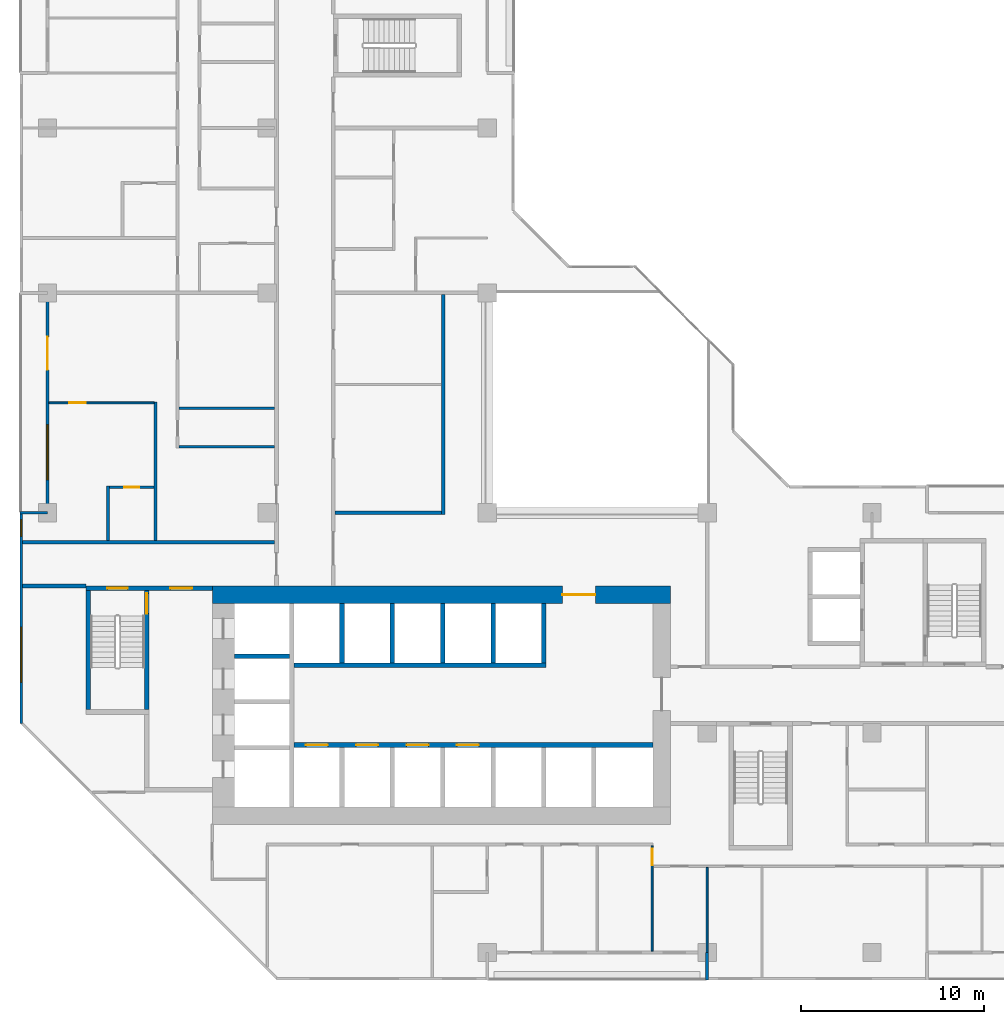
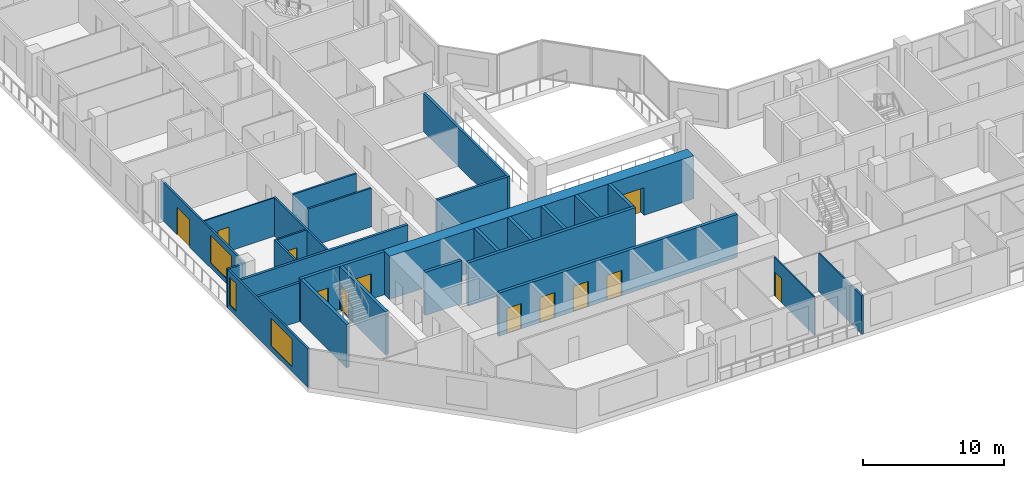
# One storey, part 5 of 15: 28 walls, 12 doors, 3 windows, 15 openings.
"""IFC4 building model written with IfcOpenShell, lengths in metres."""

from ifc_helpers import new_model, si_unit, direction, frame, frame_2d, origin, place, context, subcontext, project, spatial, rectangle, extrude, material, layer, layer_set, type_object, element, fill, save


model = new_model("IFC4")

# Units and contexts
model_context = context("Model", 3, precision=1e-05, world=origin(), true_north=direction((0.0, 1.0)))
body_context = subcontext(model_context, "Body", "Model", "MODEL_VIEW")
ifc_project = project(units=[si_unit("LENGTHUNIT", "METRE"), si_unit("AREAUNIT", "SQUARE_METRE"), si_unit("VOLUMEUNIT", "CUBIC_METRE"), si_unit("PLANEANGLEUNIT", "RADIAN"), si_unit("MASSUNIT", "GRAM", prefix="KILO")], contexts=[model_context])

# Site, building, storey
site_placement = place(None, origin())
site = spatial("IfcSite", under=ifc_project, at=site_placement, CompositionType="ELEMENT")
building_placement = place(site_placement, origin())
building = spatial("IfcBuilding", under=site, at=building_placement, Name="Chenar Terraces", CompositionType="ELEMENT")
storey_placement = place(building_placement, frame((0.0, 0.0, 125.64990234375)))
storey = spatial("IfcBuildingStorey", under=building, at=storey_placement, Name="L29", CompositionType="ELEMENT", Elevation=125.64990234375)

# Wall, openings, doors
ifc_material_1 = material(Name="Concrete C70/85", Category="concrete")
ifc_layer_1 = layer(ifc_material_1, 0.25)
ifc_layer_set_1 = layer_set([ifc_layer_1], Name="Concrete C70/85")
wall_type_1 = type_object("IfcWallType", Name="Core wall 250 Concrete C70/85", PredefinedType="SHEAR", material=ifc_layer_set_1)
wall_1_placement = place(storey_placement, frame((13.449951171875, 11.324951171875, 0.0), z_axis=(0.0, 0.0, 1.0), x_axis=(1.0, 0.0, 0.0)))
wall_1 = element("IfcWall", 1, at=wall_1_placement, inside=storey, type_object=wall_type_1, Name="Core wall SF L29", PredefinedType="SHEAR", context=body_context, shape_type="SweptSolid", body=[
    extrude(rectangle(XDim=19.60009765625, YDim=0.25, at=frame_2d((9.800048828125, 0.0))), origin(), (0.0, 0.0, 1.0), 3.75),
])
opening_1_placement = place(wall_1_placement, frame((0.64990234375, 0.0, 0.0)))
opening_1 = element("IfcOpeningElement", 2, at=opening_1_placement, cuts=wall_1, Name="Opening DL29-LD1", PredefinedType="OPENING", context=body_context, shape_type="SweptSolid", body=[
    extrude(rectangle(XDim=1.199951171875, YDim=2.199951171875, at=frame_2d((0.60009765625, 1.10009765625))), frame((0.0, 0.135009765625, 0.0), z_axis=(0.0, -1.0, 0.0), x_axis=(1.0, 0.0, 0.0)), (0.0, 0.0, 1.0), 0.27001953125),
])
opening_2_placement = place(wall_1_placement, frame((3.39990234375, 0.0, 0.0)))
opening_2 = element("IfcOpeningElement", 3, at=opening_2_placement, cuts=wall_1, Name="Opening DL29-LD2", PredefinedType="OPENING", context=body_context, shape_type="SweptSolid", body=[
    extrude(rectangle(XDim=1.199951171875, YDim=2.199951171875, at=frame_2d((0.60009765625, 1.10009765625))), frame((0.0, 0.135009765625, 0.0), z_axis=(0.0, -1.0, 0.0), x_axis=(1.0, 0.0, 0.0)), (0.0, 0.0, 1.0), 0.27001953125),
])
opening_3_placement = place(wall_1_placement, frame((6.14990234375, 0.0, 0.0)))
opening_3 = element("IfcOpeningElement", 4, at=opening_3_placement, cuts=wall_1, Name="Opening DL29-LD3", PredefinedType="OPENING", context=body_context, shape_type="SweptSolid", body=[
    extrude(rectangle(XDim=1.199951171875, YDim=2.199951171875, at=frame_2d((0.60009765625, 1.10009765625))), frame((0.0, 0.135009765625, 0.0), z_axis=(0.0, -1.0, 0.0), x_axis=(1.0, 0.0, 0.0)), (0.0, 0.0, 1.0), 0.27001953125),
])
opening_4_placement = place(wall_1_placement, frame((8.89990234375, 0.0, 0.0)))
opening_4 = element("IfcOpeningElement", 5, at=opening_4_placement, cuts=wall_1, Name="Opening DL29-LD4", PredefinedType="OPENING", context=body_context, shape_type="SweptSolid", body=[
    extrude(rectangle(XDim=1.199951171875, YDim=2.199951171875, at=frame_2d((0.60009765625, 1.10009765625))), frame((0.0, 0.135009765625, 0.0), z_axis=(0.0, -1.0, 0.0), x_axis=(1.0, 0.0, 0.0)), (0.0, 0.0, 1.0), 0.27001953125),
])
ifc_material_2 = material(Name="Stainless steel", Category="steel")
door_type_1 = type_object("IfcDoorType", Name="Lift landing door 1200 x 2200 sliding", OperationType="DOUBLE_DOOR_SLIDING", PredefinedType="DOOR", material=ifc_material_2)
door_1_placement = place(opening_1_placement, origin())
door_1 = element("IfcDoor", 6, at=door_1_placement, inside=storey, type_object=door_type_1, Name="Landing door L1", OperationType="DOUBLE_DOOR_SLIDING", OverallHeight=2.199951171875, OverallWidth=1.199951171875, PredefinedType="DOOR", context=body_context, shape_type="SweptSolid", body=[
    extrude(rectangle(XDim=1.199951171875, YDim=2.199951171875, at=frame_2d((0.60009765625, 1.10009765625))), frame((0.0, 0.02490234375, 0.0), z_axis=(0.0, -1.0, 0.0), x_axis=(1.0, 0.0, 0.0)), (0.0, 0.0, 1.0), 0.050048828125),
])
fill(opening_1, door_1)
door_2_placement = place(opening_2_placement, origin())
door_2 = element("IfcDoor", 7, at=door_2_placement, inside=storey, type_object=door_type_1, Name="Landing door L2", OperationType="DOUBLE_DOOR_SLIDING", OverallHeight=2.199951171875, OverallWidth=1.199951171875, PredefinedType="DOOR", context=body_context, shape_type="SweptSolid", body=[
    extrude(rectangle(XDim=1.199951171875, YDim=2.199951171875, at=frame_2d((0.60009765625, 1.10009765625))), frame((0.0, 0.02490234375, 0.0), z_axis=(0.0, -1.0, 0.0), x_axis=(1.0, 0.0, 0.0)), (0.0, 0.0, 1.0), 0.050048828125),
])
fill(opening_2, door_2)
door_3_placement = place(opening_3_placement, origin())
door_3 = element("IfcDoor", 8, at=door_3_placement, inside=storey, type_object=door_type_1, Name="Landing door L3", OperationType="DOUBLE_DOOR_SLIDING", OverallHeight=2.199951171875, OverallWidth=1.199951171875, PredefinedType="DOOR", context=body_context, shape_type="SweptSolid", body=[
    extrude(rectangle(XDim=1.199951171875, YDim=2.199951171875, at=frame_2d((0.60009765625, 1.10009765625))), frame((0.0, 0.02490234375, 0.0), z_axis=(0.0, -1.0, 0.0), x_axis=(1.0, 0.0, 0.0)), (0.0, 0.0, 1.0), 0.050048828125),
])
fill(opening_3, door_3)
door_4_placement = place(opening_4_placement, origin())
door_4 = element("IfcDoor", 9, at=door_4_placement, inside=storey, type_object=door_type_1, Name="Landing door L4", OperationType="DOUBLE_DOOR_SLIDING", OverallHeight=2.199951171875, OverallWidth=1.199951171875, PredefinedType="DOOR", context=body_context, shape_type="SweptSolid", body=[
    extrude(rectangle(XDim=1.199951171875, YDim=2.199951171875, at=frame_2d((0.60009765625, 1.10009765625))), frame((0.0, 0.02490234375, 0.0), z_axis=(0.0, -1.0, 0.0), x_axis=(1.0, 0.0, 0.0)), (0.0, 0.0, 1.0), 0.050048828125),
])
fill(opening_4, door_4)

# Walls
wall_2_placement = place(storey_placement, frame((13.449951171875, 15.675048828125, 0.0), z_axis=(0.0, 0.0, 1.0), x_axis=(1.0, 0.0, 0.0)))
element("IfcWall", 10, at=wall_2_placement, inside=storey, type_object=wall_type_1, Name="Core wall NF L29", PredefinedType="SHEAR", context=body_context, shape_type="SweptSolid", body=[
    extrude(rectangle(XDim=13.75, YDim=0.25, at=frame_2d((6.875, 0.0))), origin(), (0.0, 0.0, 1.0), 3.75),
])
wall_3_placement = place(storey_placement, frame((10.199951171875, 16.175048828125, 0.0), z_axis=(0.0, 0.0, 1.0), x_axis=(1.0, 0.0, 0.0)))
element("IfcWall", 11, at=wall_3_placement, inside=storey, type_object=wall_type_1, Name="Core wall HW2 L29", PredefinedType="SHEAR", context=body_context, shape_type="SweptSolid", body=[
    extrude(rectangle(XDim=3.0, YDim=0.25, at=frame_2d((1.5, 0.0))), origin(), (0.0, 0.0, 1.0), 3.75),
])
for number, where, z_axis, x_axis, name in (
    (12, (16.074951171875, 15.800048828125, 0.0), (0.0, 0.0, 1.0), (0.0, 1.0, 0.0), "Core wall NS0 L29"),
    (13, (18.824951171875, 15.800048828125, 0.0), (0.0, 0.0, 1.0), (0.0, 1.0, 0.0), "Core wall NS1 L29"),
    (14, (21.574951171875, 15.800048828125, 0.0), (0.0, 0.0, 1.0), (0.0, 1.0, 0.0), "Core wall NS2 L29"),
    (15, (24.324951171875, 15.800048828125, 0.0), (0.0, 0.0, 1.0), (0.0, 1.0, 0.0), "Core wall NS3 L29"),
    (16, (27.074951171875, 15.800048828125, 0.0), (0.0, 0.0, 1.0), (0.0, 1.0, 0.0), "Core wall NE L29"),
):
    element("IfcWall", number, at=place(storey_placement, frame(where, z_axis=z_axis, x_axis=x_axis)), inside=storey, type_object=wall_type_1, Name=name, PredefinedType="SHEAR", context=body_context, shape_type="SweptSolid", body=[
        extrude(rectangle(XDim=3.25, YDim=0.25, at=frame_2d((1.625, 0.0))), origin(), (0.0, 0.0, 1.0), 3.75),
    ])

# Wall, openings, doors
wall_4_placement = place(storey_placement, frame((2.10009765625, 19.875, 0.0), z_axis=(0.0, 0.0, 1.0), x_axis=(1.0, 0.0, 0.0)))
wall_4 = element("IfcWall", 17, at=wall_4_placement, inside=storey, type_object=wall_type_1, Name="Core wall A_N L29", PredefinedType="SHEAR", context=body_context, shape_type="SweptSolid", body=[
    extrude(rectangle(XDim=6.89990234375, YDim=0.25, at=frame_2d((3.449951171875, 0.0))), origin(), (0.0, 0.0, 1.0), 3.75),
])
opening_5_placement = place(wall_4_placement, frame((1.175048828125, 0.0, 0.0)))
opening_5 = element("IfcOpeningElement", 18, at=opening_5_placement, cuts=wall_4, Name="Opening DL29-C5", PredefinedType="OPENING", context=body_context, shape_type="SweptSolid", body=[
    extrude(rectangle(XDim=1.10009765625, YDim=2.199951171875, at=frame_2d((0.550048828125, 1.10009765625))), frame((0.0, 0.135009765625, 0.0), z_axis=(0.0, -1.0, 0.0), x_axis=(1.0, 0.0, 0.0)), (0.0, 0.0, 1.0), 0.27001953125),
])
opening_6_placement = place(wall_4_placement, frame((4.60009765625, 0.0, 0.0)))
opening_6 = element("IfcOpeningElement", 19, at=opening_6_placement, cuts=wall_4, Name="Opening DL29-C6", PredefinedType="OPENING", context=body_context, shape_type="SweptSolid", body=[
    extrude(rectangle(XDim=1.199951171875, YDim=2.199951171875, at=frame_2d((0.60009765625, 1.10009765625))), frame((0.0, 0.135009765625, 0.0), z_axis=(0.0, -1.0, 0.0), x_axis=(1.0, 0.0, 0.0)), (0.0, 0.0, 1.0), 0.27001953125),
])
ifc_material_3 = material(Name="Steel-framed fire-resisting door leaf", Category="steel")
door_type_2 = type_object("IfcDoorType", Name="Lobby fire door FD60 1200 x 2200", OperationType="SINGLE_SWING_LEFT", PredefinedType="DOOR", material=ifc_material_3)
door_5_placement = place(opening_6_placement, frame((1.199951171875, 0.0, 0.0), z_axis=(0.0, 0.0, 1.0), x_axis=(-1.0, 0.0, 0.0)))
door_5 = element("IfcDoor", 20, at=door_5_placement, inside=storey, type_object=door_type_2, Name="Core door DL29-C6", OperationType="SINGLE_SWING_LEFT", OverallHeight=2.199951171875, OverallWidth=1.199951171875, PredefinedType="DOOR", context=body_context, shape_type="SweptSolid", body=[
    extrude(rectangle(XDim=1.199951171875, YDim=2.199951171875, at=frame_2d((0.60009765625, 1.10009765625))), frame((0.0, 0.02490234375, 0.0), z_axis=(0.0, -1.0, 0.0), x_axis=(1.0, 0.0, 0.0)), (0.0, 0.0, 1.0), 0.050048828125),
])
fill(opening_6, door_5)
ifc_material_4 = material(Name="Steel-framed fire-resisting door leaf", Category="steel")
door_type_3 = type_object("IfcDoorType", Name="Stair fire door FD60 1100 x 2200", OperationType="SINGLE_SWING_LEFT", PredefinedType="DOOR", material=ifc_material_4)
door_6_placement = place(opening_5_placement, origin())
door_6 = element("IfcDoor", 21, at=door_6_placement, inside=storey, type_object=door_type_3, Name="Stair door DL29-C5", OperationType="SINGLE_SWING_LEFT", OverallHeight=2.199951171875, OverallWidth=1.10009765625, PredefinedType="DOOR", context=body_context, shape_type="SweptSolid", body=[
    extrude(rectangle(XDim=1.10009765625, YDim=2.199951171875, at=frame_2d((0.550048828125, 1.10009765625))), frame((0.0, 0.02490234375, 0.0), z_axis=(0.0, -1.0, 0.0), x_axis=(1.0, 0.0, 0.0)), (0.0, 0.0, 1.0), 0.050048828125),
])
fill(opening_5, door_6)

# Wall
wall_5_placement = place(storey_placement, frame((2.22509765625, 13.25, 0.0), z_axis=(0.0, 0.0, 1.0), x_axis=(0.0, 1.0, 0.0)))
element("IfcWall", 22, at=wall_5_placement, inside=storey, type_object=wall_type_1, Name="Core wall ST1_W L29", PredefinedType="SHEAR", context=body_context, shape_type="SweptSolid", body=[
    extrude(rectangle(XDim=6.5, YDim=0.25, at=frame_2d((3.25, 0.0))), origin(), (0.0, 0.0, 1.0), 3.75),
])

# Wall, opening, door
wall_6_placement = place(storey_placement, frame((5.425048828125, 13.25, 0.0), z_axis=(0.0, 0.0, 1.0), x_axis=(0.0, 1.0, 0.0)))
wall_6 = element("IfcWall", 23, at=wall_6_placement, inside=storey, type_object=wall_type_1, Name="Core wall ST1_E L29", PredefinedType="SHEAR", context=body_context, shape_type="SweptSolid", body=[
    extrude(rectangle(XDim=6.5, YDim=0.25, at=frame_2d((3.25, 0.0))), origin(), (0.0, 0.0, 1.0), 3.75),
])
opening_7_placement = place(wall_6_placement, frame((5.25, 0.0, 0.0)))
opening_7 = element("IfcOpeningElement", 24, at=opening_7_placement, cuts=wall_6, Name="Opening DL29-C3", PredefinedType="OPENING", context=body_context, shape_type="SweptSolid", body=[
    extrude(rectangle(XDim=1.10009765625, YDim=2.199951171875, at=frame_2d((0.550048828125, 1.10009765625))), frame((0.0, 0.135009765625, 0.0), z_axis=(0.0, -1.0, 0.0), x_axis=(1.0, 0.0, 0.0)), (0.0, 0.0, 1.0), 0.27001953125),
])
door_7_placement = place(opening_7_placement, origin())
door_7 = element("IfcDoor", 25, at=door_7_placement, inside=storey, type_object=door_type_3, Name="Stair door DL29-C3", OperationType="SINGLE_SWING_RIGHT", OverallHeight=2.199951171875, OverallWidth=1.10009765625, PredefinedType="DOOR", context=body_context, shape_type="SweptSolid", body=[
    extrude(rectangle(XDim=1.10009765625, YDim=2.199951171875, at=frame_2d((0.550048828125, 1.10009765625))), frame((0.0, 0.02490234375, 0.0), z_axis=(0.0, -1.0, 0.0), x_axis=(1.0, 0.0, 0.0)), (0.0, 0.0, 1.0), 0.050048828125),
])
fill(opening_7, door_7)

ifc_material_5 = material(Name="Concrete C70/85", Category="concrete")
ifc_layer_2 = layer(ifc_material_5, 0.949951171875)
ifc_layer_set_2 = layer_set([ifc_layer_2], Name="Concrete C70/85")
wall_type_2 = type_object("IfcWallType", Name="Core wall 950 Concrete C70/85", PredefinedType="SHEAR", material=ifc_layer_set_2)
wall_7_placement = place(storey_placement, frame((9.0, 19.52490234375, 0.0), z_axis=(0.0, 0.0, 1.0), x_axis=(1.0, 0.0, 0.0)))
wall_7 = element("IfcWall", 26, at=wall_7_placement, inside=storey, type_object=wall_type_2, Name="Core wall N L29", PredefinedType="SHEAR", context=body_context, shape_type="SweptSolid", body=[
    extrude(rectangle(XDim=25.0, YDim=0.949951171875, at=frame_2d((12.5, 0.0))), origin(), (0.0, 0.0, 1.0), 3.75),
])
opening_8_placement = place(wall_7_placement, frame((19.10009765625, 0.0, 0.0)))
opening_8 = element("IfcOpeningElement", 27, at=opening_8_placement, cuts=wall_7, Name="Opening DL29-C2", PredefinedType="OPENING", context=body_context, shape_type="SweptSolid", body=[
    extrude(rectangle(XDim=1.800048828125, YDim=2.39990234375, at=frame_2d((0.89990234375, 1.199951171875))), frame((0.0, 0.48486328125, 0.0), z_axis=(0.0, -1.0, 0.0), x_axis=(1.0, 0.0, 0.0)), (0.0, 0.0, 1.0), 0.969970703125),
])
ifc_material_6 = material(Name="Steel-framed fire-resisting door leaf", Category="steel")
door_type_4 = type_object("IfcDoorType", Name="Core entrance double fire door FD60 1800 x 2400", OperationType="DOUBLE_DOOR_SINGLE_SWING", PredefinedType="DOOR", material=ifc_material_6)
door_8_placement = place(opening_8_placement, frame((1.800048828125, 0.0, 0.0), z_axis=(0.0, 0.0, 1.0), x_axis=(-1.0, 0.0, 0.0)))
door_8 = element("IfcDoor", 28, at=door_8_placement, inside=storey, type_object=door_type_4, Name="Core door DL29-C2", OperationType="DOUBLE_DOOR_SINGLE_SWING", OverallHeight=2.39990234375, OverallWidth=1.800048828125, PredefinedType="DOOR", context=body_context, shape_type="SweptSolid", body=[
    extrude(rectangle(XDim=1.800048828125, YDim=2.39990234375, at=frame_2d((0.89990234375, 1.199951171875))), frame((0.0, 0.02490234375, 0.0), z_axis=(0.0, -1.0, 0.0), x_axis=(1.0, 0.0, 0.0)), (0.0, 0.0, 1.0), 0.050048828125),
])
fill(opening_8, door_8)

# Walls
ifc_material_7 = material(Name="Gypsum board on steel studs with fire boards", Category="steel")
ifc_layer_3 = layer(ifc_material_7, 0.199951171875)
ifc_layer_set_3 = layer_set([ifc_layer_3], Name="Gypsum board on steel studs with fire boards")
wall_type_3 = type_object("IfcWallType", Name="Corridor wall 200", PredefinedType="PARTITIONING", material=ifc_layer_set_3)
wall_8_placement = place(storey_placement, frame((-1.35009765625, 20.0, 0.0), z_axis=(0.0, 0.0, 1.0), x_axis=(1.0, 0.0, 0.0)))
element("IfcWall", 29, at=wall_8_placement, inside=storey, type_object=wall_type_3, Name="Partition L29-003", PredefinedType="PARTITIONING", context=body_context, shape_type="SweptSolid", body=[
    extrude(rectangle(XDim=3.4501953125, YDim=0.199951171875, at=frame_2d((1.72509765625, 0.0))), origin(), (0.0, 0.0, 1.0), 3.35009765625),
])
wall_9_placement = place(storey_placement, frame((-1.35009765625, 22.39990234375, 0.0), z_axis=(0.0, 0.0, 1.0), x_axis=(1.0, 0.0, 0.0)))
element("IfcWall", 30, at=wall_9_placement, inside=storey, type_object=wall_type_3, Name="Partition L29-004", PredefinedType="PARTITIONING", context=body_context, shape_type="SweptSolid", body=[
    extrude(rectangle(XDim=13.75, YDim=0.199951171875, at=frame_2d((6.875, 0.0))), origin(), (0.0, 0.0, 1.0), 3.35009765625),
])
wall_10_placement = place(storey_placement, frame((15.699951171875, 24.0, 0.0), z_axis=(0.0, 0.0, 1.0), x_axis=(1.0, 0.0, 0.0)))
element("IfcWall", 31, at=wall_10_placement, inside=storey, type_object=wall_type_3, Name="Partition L29-039", PredefinedType="PARTITIONING", context=body_context, shape_type="SweptSolid", body=[
    extrude(rectangle(XDim=5.800048828125, YDim=0.199951171875, at=frame_2d((2.89990234375, 0.0))), origin(), (0.0, 0.0, 1.0), 3.35009765625),
])
wall_11_placement = place(storey_placement, frame((21.60009765625, 23.89990234375, 0.0), z_axis=(0.0, 0.0, 1.0), x_axis=(0.0, 1.0, 0.0)))
element("IfcWall", 32, at=wall_11_placement, inside=storey, type_object=wall_type_3, Name="Partition L29-057", PredefinedType="PARTITIONING", context=body_context, shape_type="SweptSolid", body=[
    extrude(rectangle(XDim=12.0, YDim=0.199951171875, at=frame_2d((6.0, 0.0))), origin(), (0.0, 0.0, 1.0), 3.35009765625),
])

# Wall, openings, windows
ifc_material_8 = material(Name="Aluminium framed glazing", Category="aluminium")
ifc_layer_4 = layer(ifc_material_8, 0.14990234375)
ifc_layer_set_4 = layer_set([ifc_layer_4], Name="Aluminium framed glazing")
wall_type_4 = type_object("IfcWallType", Name="Glazed flush facade wall 150", PredefinedType="SOLIDWALL", material=ifc_layer_set_4)
wall_12_placement = place(storey_placement, frame((-1.425048828125, 23.925048828125, 0.0), z_axis=(0.0, 0.0, 1.0), x_axis=(0.0, -1.0, 0.0)))
wall_12 = element("IfcWall", 33, at=wall_12_placement, inside=storey, type_object=wall_type_4, Name="Glazed flush facade wall", PredefinedType="SOLIDWALL", context=body_context, shape_type="SweptSolid", body=[
    extrude(rectangle(XDim=11.425048828125, YDim=0.14990234375, at=frame_2d((5.71240234375, 0.0))), origin(), (0.0, 0.0, 1.0), 3.35009765625),
])
opening_9_placement = place(wall_12_placement, frame((0.3125, 0.0, 0.449951171875)))
opening_9 = element("IfcOpeningElement", 34, at=opening_9_placement, cuts=wall_12, Name="Opening W90x240", PredefinedType="OPENING", context=body_context, shape_type="SweptSolid", body=[
    extrude(rectangle(XDim=0.89990234375, YDim=2.39990234375, at=frame_2d((0.449951171875, 1.199951171875))), frame((0.0, 0.0849609375, 0.0), z_axis=(0.0, -1.0, 0.0), x_axis=(1.0, 0.0, 0.0)), (0.0, 0.0, 1.0), 0.169921875),
])
opening_10_placement = place(wall_12_placement, frame((6.175048828125, 0.0, 0.449951171875)))
opening_10 = element("IfcOpeningElement", 35, at=opening_10_placement, cuts=wall_12, Name="Opening W300x240", PredefinedType="OPENING", context=body_context, shape_type="SweptSolid", body=[
    extrude(rectangle(XDim=3.0, YDim=2.39990234375, at=frame_2d((1.5, 1.199951171875))), frame((0.0, 0.0849609375, 0.0), z_axis=(0.0, -1.0, 0.0), x_axis=(1.0, 0.0, 0.0)), (0.0, 0.0, 1.0), 0.169921875),
])
ifc_material_9 = material(Name="Low emissivity double glazing, aluminium frame", Category="aluminium")
window_type_1 = type_object("IfcWindowType", Name="Fixed light 3000 x 2400", PartitioningType="SINGLE_PANEL", PredefinedType="WINDOW", material=ifc_material_9)
window_1_placement = place(opening_10_placement, origin())
window_1 = element("IfcWindow", 36, at=window_1_placement, inside=storey, type_object=window_type_1, Name="Window", OverallHeight=2.39990234375, OverallWidth=3.0, PartitioningType="SINGLE_PANEL", PredefinedType="WINDOW", context=body_context, shape_type="SweptSolid", body=[
    extrude(rectangle(XDim=3.0, YDim=2.39990234375, at=frame_2d((1.5, 1.199951171875))), frame((0.0, 0.030029296875, 0.0), z_axis=(0.0, -1.0, 0.0), x_axis=(1.0, 0.0, 0.0)), (0.0, 0.0, 1.0), 0.06005859375),
])
fill(opening_10, window_1)
ifc_material_10 = material(Name="Low emissivity double glazing, aluminium frame", Category="aluminium")
window_type_2 = type_object("IfcWindowType", Name="Fixed light 900 x 2400", PartitioningType="SINGLE_PANEL", PredefinedType="WINDOW", material=ifc_material_10)
window_2_placement = place(opening_9_placement, origin())
window_2 = element("IfcWindow", 37, at=window_2_placement, inside=storey, type_object=window_type_2, Name="Window", OverallHeight=2.39990234375, OverallWidth=0.89990234375, PartitioningType="SINGLE_PANEL", PredefinedType="WINDOW", context=body_context, shape_type="SweptSolid", body=[
    extrude(rectangle(XDim=0.89990234375, YDim=2.39990234375, at=frame_2d((0.449951171875, 1.199951171875))), frame((0.0, 0.030029296875, 0.0), z_axis=(0.0, -1.0, 0.0), x_axis=(1.0, 0.0, 0.0)), (0.0, 0.0, 1.0), 0.06005859375),
])
fill(opening_9, window_2)

# Wall, openings, window, door
ifc_material_11 = material(Name="Aluminium framed glazing", Category="aluminium")
ifc_layer_5 = layer(ifc_material_11, 0.14990234375)
ifc_layer_set_5 = layer_set([ifc_layer_5], Name="Aluminium framed glazing")
wall_type_5 = type_object("IfcWallType", Name="Glazed loggia back wall 150", PredefinedType="SOLIDWALL", material=ifc_layer_set_5)
wall_13_placement = place(storey_placement, frame((0.0, 35.925048828125, 0.0), z_axis=(0.0, 0.0, 1.0), x_axis=(0.0, -1.0, 0.0)))
wall_13 = element("IfcWall", 38, at=wall_13_placement, inside=storey, type_object=wall_type_5, Name="Glazed loggia back wall", PredefinedType="SOLIDWALL", context=body_context, shape_type="SweptSolid", body=[
    extrude(rectangle(XDim=11.85009765625, YDim=0.14990234375, at=frame_2d((5.925048828125, 0.0))), origin(), (0.0, 0.0, 1.0), 3.35009765625),
])
opening_11_placement = place(wall_13_placement, frame((2.324951171875, 0.0, 0.0)))
opening_11 = element("IfcOpeningElement", 39, at=opening_11_placement, cuts=wall_13, Name="Opening DL29-G5", PredefinedType="OPENING", context=body_context, shape_type="SweptSolid", body=[
    extrude(rectangle(XDim=1.800048828125, YDim=2.39990234375, at=frame_2d((0.89990234375, 1.199951171875))), frame((0.0, 0.0849609375, 0.0), z_axis=(0.0, -1.0, 0.0), x_axis=(1.0, 0.0, 0.0)), (0.0, 0.0, 1.0), 0.169921875),
])
opening_12_placement = place(wall_13_placement, frame((7.125, 0.0, 0.449951171875)))
opening_12 = element("IfcOpeningElement", 40, at=opening_12_placement, cuts=wall_13, Name="Opening W300x240", PredefinedType="OPENING", context=body_context, shape_type="SweptSolid", body=[
    extrude(rectangle(XDim=3.0, YDim=2.39990234375, at=frame_2d((1.5, 1.199951171875))), frame((0.0, 0.0849609375, 0.0), z_axis=(0.0, -1.0, 0.0), x_axis=(1.0, 0.0, 0.0)), (0.0, 0.0, 1.0), 0.169921875),
])
window_3_placement = place(opening_12_placement, origin())
window_3 = element("IfcWindow", 41, at=window_3_placement, inside=storey, type_object=window_type_1, Name="Window", OverallHeight=2.39990234375, OverallWidth=3.0, PartitioningType="SINGLE_PANEL", PredefinedType="WINDOW", context=body_context, shape_type="SweptSolid", body=[
    extrude(rectangle(XDim=3.0, YDim=2.39990234375, at=frame_2d((1.5, 1.199951171875))), frame((0.0, 0.030029296875, 0.0), z_axis=(0.0, -1.0, 0.0), x_axis=(1.0, 0.0, 0.0)), (0.0, 0.0, 1.0), 0.06005859375),
])
fill(opening_12, window_3)
ifc_material_12 = material(Name="Low emissivity double glazing, aluminium frame", Category="aluminium")
door_type_5 = type_object("IfcDoorType", Name="Loggia glazed double door 1800 x 2400", OperationType="DOUBLE_DOOR_SINGLE_SWING", PredefinedType="DOOR", material=ifc_material_12)
door_9_placement = place(opening_11_placement, frame((1.800048828125, 0.0, 0.0), z_axis=(0.0, 0.0, 1.0), x_axis=(-1.0, 0.0, 0.0)))
door_9 = element("IfcDoor", 42, at=door_9_placement, inside=storey, type_object=door_type_5, Name="Loggia glazed door", OperationType="DOUBLE_DOOR_SINGLE_SWING", OverallHeight=2.39990234375, OverallWidth=1.800048828125, PredefinedType="DOOR", context=body_context, shape_type="SweptSolid", body=[
    extrude(rectangle(XDim=1.800048828125, YDim=2.39990234375, at=frame_2d((0.89990234375, 1.199951171875))), frame((0.0, 0.02490234375, 0.0), z_axis=(0.0, -1.0, 0.0), x_axis=(1.0, 0.0, 0.0)), (0.0, 0.0, 1.0), 0.050048828125),
])
fill(opening_11, door_9)

# Wall, opening, door
ifc_material_13 = material(Name="Gypsum board on steel studs", Category="steel")
ifc_layer_6 = layer(ifc_material_13, 0.10009765625)
ifc_layer_set_6 = layer_set([ifc_layer_6], Name="Gypsum board on steel studs")
wall_type_6 = type_object("IfcWallType", Name="Gypsum partition 100", PredefinedType="PARTITIONING", material=ifc_layer_set_6)
wall_14_placement = place(storey_placement, frame((0.073974609375, 30.0, 0.0), z_axis=(0.0, 0.0, 1.0), x_axis=(1.0, 0.0, 0.0)))
wall_14 = element("IfcWall", 43, at=wall_14_placement, inside=storey, type_object=wall_type_6, Name="Partition L29-007", PredefinedType="PARTITIONING", context=body_context, shape_type="SweptSolid", body=[
    extrude(rectangle(XDim=5.7509765625, YDim=0.10009765625, at=frame_2d((2.87548828125, 0.0))), origin(), (0.0, 0.0, 1.0), 3.35009765625),
])
opening_13_placement = place(wall_14_placement, frame((1.1259765625, 0.0, 0.0)))
opening_13 = element("IfcOpeningElement", 44, at=opening_13_placement, cuts=wall_14, Name="Opening DL29-71", PredefinedType="OPENING", context=body_context, shape_type="SweptSolid", body=[
    extrude(rectangle(XDim=0.89990234375, YDim=2.10009765625, at=frame_2d((0.449951171875, 1.050048828125))), frame((0.0, 0.06005859375, 0.0), z_axis=(0.0, -1.0, 0.0), x_axis=(1.0, 0.0, 0.0)), (0.0, 0.0, 1.0), 0.1201171875),
])
ifc_material_14 = material(Name="Veneered timber door leaf", Category="wood")
door_type_6 = type_object("IfcDoorType", Name="Door 900 x 2100", OperationType="SINGLE_SWING_LEFT", PredefinedType="DOOR", material=ifc_material_14)
door_10_placement = place(opening_13_placement, frame((0.89990234375, 0.0, 0.0), z_axis=(0.0, 0.0, 1.0), x_axis=(-1.0, 0.0, 0.0)))
door_10 = element("IfcDoor", 45, at=door_10_placement, inside=storey, type_object=door_type_6, Name="Door DL29-71", OperationType="SINGLE_SWING_RIGHT", OverallHeight=2.10009765625, OverallWidth=0.89990234375, PredefinedType="DOOR", context=body_context, shape_type="SweptSolid", body=[
    extrude(rectangle(XDim=0.89990234375, YDim=2.10009765625, at=frame_2d((0.449951171875, 1.050048828125))), frame((0.0, 0.02490234375, 0.0), z_axis=(0.0, -1.0, 0.0), x_axis=(1.0, 0.0, 0.0)), (0.0, 0.0, 1.0), 0.050048828125),
])
fill(opening_13, door_10)

wall_15_placement = place(storey_placement, frame((33.0, 0.073974609375, 0.0), z_axis=(0.0, 0.0, 1.0), x_axis=(0.0, 1.0, 0.0)))
wall_15 = element("IfcWall", 46, at=wall_15_placement, inside=storey, type_object=wall_type_6, Name="Partition L29-061", PredefinedType="PARTITIONING", context=body_context, shape_type="SweptSolid", body=[
    extrude(rectangle(XDim=5.7509765625, YDim=0.10009765625, at=frame_2d((2.87548828125, 0.0))), origin(), (0.0, 0.0, 1.0), 3.35009765625),
])
opening_14_placement = place(wall_15_placement, frame((4.700927734375, 0.0, 0.0)))
opening_14 = element("IfcOpeningElement", 47, at=opening_14_placement, cuts=wall_15, Name="Opening DL29-56", PredefinedType="OPENING", context=body_context, shape_type="SweptSolid", body=[
    extrude(rectangle(XDim=0.89990234375, YDim=2.10009765625, at=frame_2d((0.449951171875, 1.050048828125))), frame((0.0, 0.06005859375, 0.0), z_axis=(0.0, -1.0, 0.0), x_axis=(1.0, 0.0, 0.0)), (0.0, 0.0, 1.0), 0.1201171875),
])
door_11_placement = place(opening_14_placement, origin())
door_11 = element("IfcDoor", 48, at=door_11_placement, inside=storey, type_object=door_type_6, Name="Door DL29-56", OperationType="SINGLE_SWING_RIGHT", OverallHeight=2.10009765625, OverallWidth=0.89990234375, PredefinedType="DOOR", context=body_context, shape_type="SweptSolid", body=[
    extrude(rectangle(XDim=0.89990234375, YDim=2.10009765625, at=frame_2d((0.449951171875, 1.050048828125))), frame((0.0, 0.02490234375, 0.0), z_axis=(0.0, -1.0, 0.0), x_axis=(1.0, 0.0, 0.0)), (0.0, 0.0, 1.0), 0.050048828125),
])
fill(opening_14, door_11)

# Walls
wall_16_placement = place(storey_placement, frame((36.0, 0.0, 0.0), z_axis=(0.0, 0.0, 1.0), x_axis=(0.0, 1.0, 0.0)))
element("IfcWall", 49, at=wall_16_placement, inside=storey, type_object=wall_type_6, Name="Partition L29-065", PredefinedType="PARTITIONING", context=body_context, shape_type="SweptSolid", body=[
    extrude(rectangle(XDim=4.64990234375, YDim=0.10009765625, at=frame_2d((2.324951171875, 0.0))), origin(), (0.0, 0.0, 1.0), 3.35009765625),
])
ifc_material_15 = material(Name="Terracotta cladding on insulated backing", Category="masonry")
ifc_layer_7 = layer(ifc_material_15, 0.14990234375)
ifc_layer_set_7 = layer_set([ifc_layer_7], Name="Terracotta cladding on insulated backing")
wall_type_7 = type_object("IfcWallType", Name="Loggia return wall 150", PredefinedType="SOLIDWALL", material=ifc_layer_set_7)
for number, where, z_axis, x_axis, name in (
    (50, (-1.5, 24.0, 0.0), (0.0, 0.0, 1.0), (1.0, 0.0, 0.0), "Loggia return wall"),
    (51, (36.0, -1.5, 0.0), (0.0, 0.0, 1.0), (0.0, 1.0, 0.0), "Loggia return wall"),
):
    element("IfcWall", number, at=place(storey_placement, frame(where, z_axis=z_axis, x_axis=x_axis)), inside=storey, type_object=wall_type_7, Name=name, PredefinedType="SOLIDWALL", context=body_context, shape_type="SweptSolid", body=[
        extrude(rectangle(XDim=1.5, YDim=0.14990234375, at=frame_2d((0.75, 0.0))), origin(), (0.0, 0.0, 1.0), 3.35009765625),
    ])
ifc_material_16 = material(Name="Moisture-resistant gypsum board on steel studs", Category="steel")
ifc_layer_8 = layer(ifc_material_16, 0.14990234375)
ifc_layer_set_8 = layer_set([ifc_layer_8], Name="Moisture-resistant gypsum board on steel studs")
wall_type_8 = type_object("IfcWallType", Name="Wet-room partition 150", PredefinedType="PARTITIONING", material=ifc_layer_set_8)
wall_17_placement = place(storey_placement, frame((3.300048828125, 22.5, 0.0), z_axis=(0.0, 0.0, 1.0), x_axis=(0.0, 1.0, 0.0)))
element("IfcWall", 52, at=wall_17_placement, inside=storey, type_object=wall_type_8, Name="Partition L29-012", PredefinedType="PARTITIONING", context=body_context, shape_type="SweptSolid", body=[
    extrude(rectangle(XDim=2.97509765625, YDim=0.14990234375, at=frame_2d((1.487548828125, 0.0))), origin(), (0.0, 0.0, 1.0), 3.35009765625),
])

# Wall, opening, door
wall_18_placement = place(storey_placement, frame((3.375, 25.39990234375, 0.0), z_axis=(0.0, 0.0, 1.0), x_axis=(1.0, 0.0, 0.0)))
wall_18 = element("IfcWall", 53, at=wall_18_placement, inside=storey, type_object=wall_type_8, Name="Partition L29-013", PredefinedType="PARTITIONING", context=body_context, shape_type="SweptSolid", body=[
    extrude(rectangle(XDim=2.449951171875, YDim=0.14990234375, at=frame_2d((1.22509765625, 0.0))), origin(), (0.0, 0.0, 1.0), 3.35009765625),
])
opening_15_placement = place(wall_18_placement, frame((0.824951171875, 0.0, 0.0)))
opening_15 = element("IfcOpeningElement", 54, at=opening_15_placement, cuts=wall_18, Name="Opening DL29-72", PredefinedType="OPENING", context=body_context, shape_type="SweptSolid", body=[
    extrude(rectangle(XDim=0.800048828125, YDim=2.10009765625, at=frame_2d((0.39990234375, 1.050048828125))), frame((0.0, 0.0849609375, 0.0), z_axis=(0.0, -1.0, 0.0), x_axis=(1.0, 0.0, 0.0)), (0.0, 0.0, 1.0), 0.169921875),
])
ifc_material_17 = material(Name="Veneered timber door leaf", Category="wood")
door_type_7 = type_object("IfcDoorType", Name="Door 800 x 2100", OperationType="SINGLE_SWING_LEFT", PredefinedType="DOOR", material=ifc_material_17)
door_12_placement = place(opening_15_placement, frame((0.800048828125, 0.0, 0.0), z_axis=(0.0, 0.0, 1.0), x_axis=(-1.0, 0.0, 0.0)))
door_12 = element("IfcDoor", 55, at=door_12_placement, inside=storey, type_object=door_type_7, Name="Door DL29-72", OperationType="SINGLE_SWING_LEFT", OverallHeight=2.10009765625, OverallWidth=0.800048828125, PredefinedType="DOOR", context=body_context, shape_type="SweptSolid", body=[
    extrude(rectangle(XDim=0.800048828125, YDim=2.10009765625, at=frame_2d((0.39990234375, 1.050048828125))), frame((0.0, 0.02490234375, 0.0), z_axis=(0.0, -1.0, 0.0), x_axis=(1.0, 0.0, 0.0)), (0.0, 0.0, 1.0), 0.050048828125),
])
fill(opening_15, door_12)

# Walls
wall_19_placement = place(storey_placement, frame((5.89990234375, 22.5, 0.0), z_axis=(0.0, 0.0, 1.0), x_axis=(0.0, 1.0, 0.0)))
element("IfcWall", 56, at=wall_19_placement, inside=storey, type_object=wall_type_8, Name="Partition L29-018", PredefinedType="PARTITIONING", context=body_context, shape_type="SweptSolid", body=[
    extrude(rectangle(XDim=7.550048828125, YDim=0.14990234375, at=frame_2d((3.77490234375, 0.0))), origin(), (0.0, 0.0, 1.0), 3.35009765625),
])
for number, where, z_axis, x_axis, name in (
    (57, (7.175048828125, 27.60009765625, 0.0), (0.0, 0.0, 1.0), (1.0, 0.0, 0.0), "Partition L29-021"),
    (58, (7.175048828125, 29.699951171875, 0.0), (0.0, 0.0, 1.0), (1.0, 0.0, 0.0), "Partition L29-022"),
):
    element("IfcWall", number, at=place(storey_placement, frame(where, z_axis=z_axis, x_axis=x_axis)), inside=storey, type_object=wall_type_8, Name=name, PredefinedType="PARTITIONING", context=body_context, shape_type="SweptSolid", body=[
        extrude(rectangle(XDim=5.224853515625, YDim=0.14990234375, at=frame_2d((2.6123046875, 0.0))), origin(), (0.0, 0.0, 1.0), 3.35009765625),
    ])

save(model, "model.ifc")
